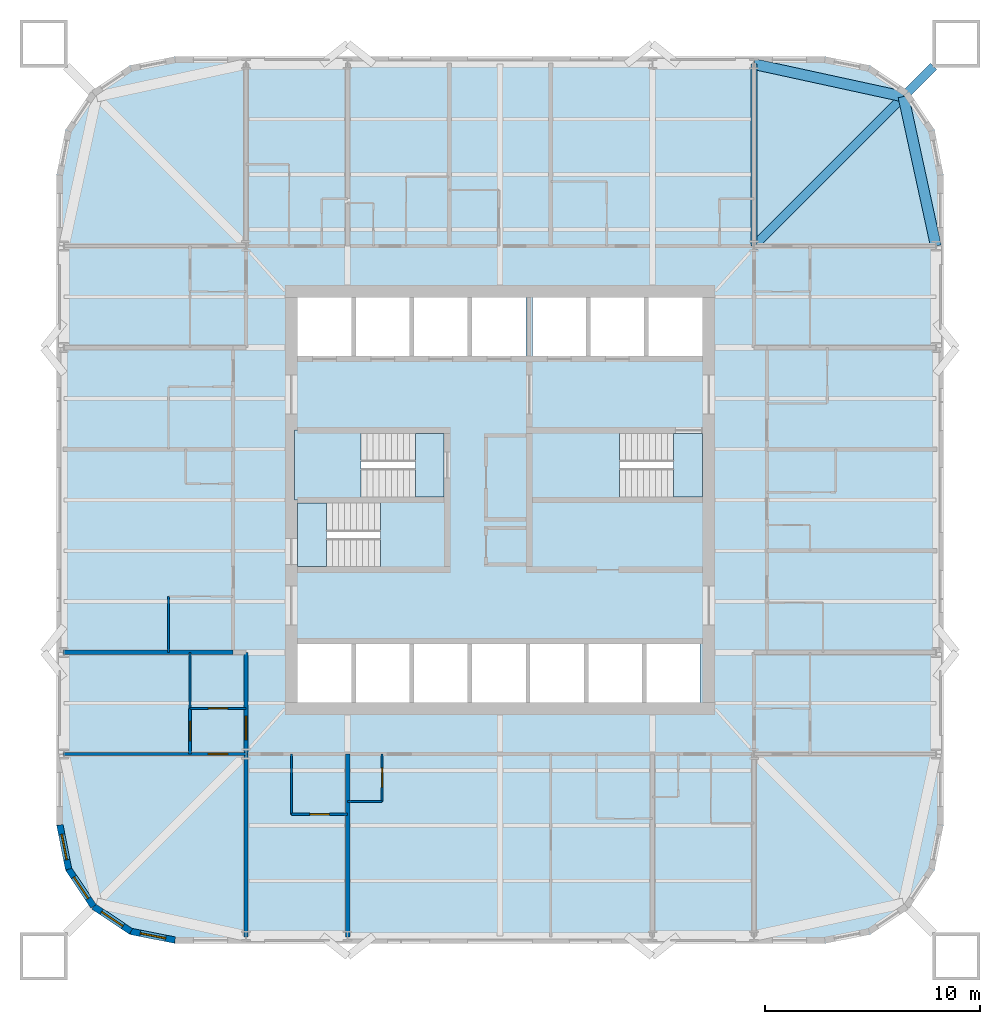
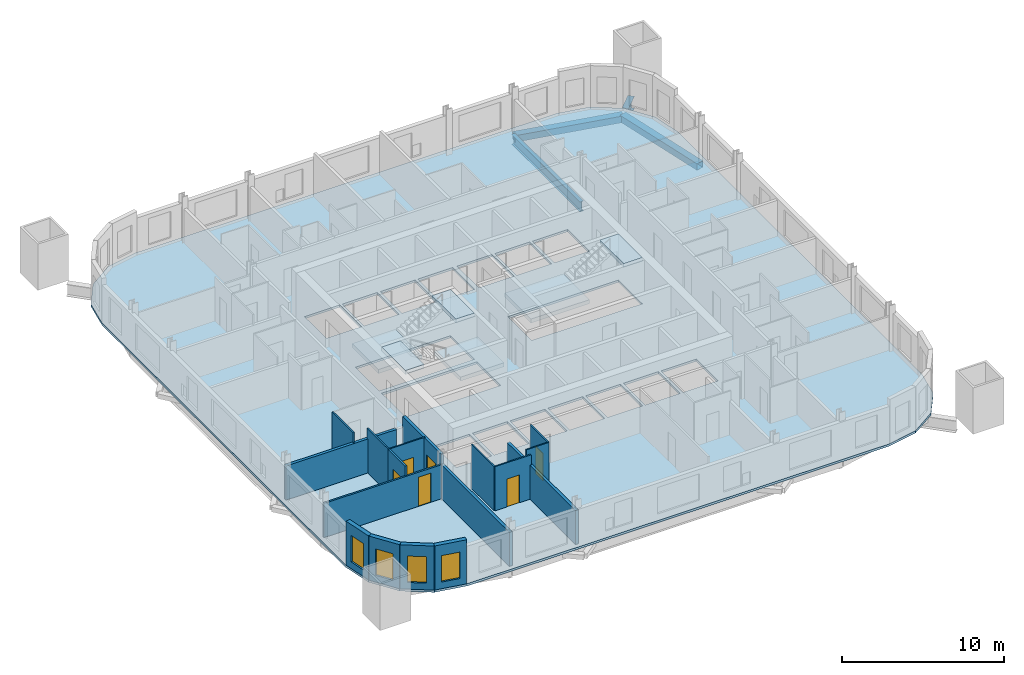
# One storey, part 2 of 9: 17 walls, 7 slabs, 6 doors, 4 beams, 4 windows, 10 openings, 3 elements without a shape of their own.
"""IFC4 building model written with IfcOpenShell, lengths in metres."""

from ifc_helpers import new_model, si_unit, direction, frame, frame_2d, origin, origin_2d, place, context, subcontext, project, spatial, polyline, rectangle, hollow_rectangle, i_section, outline, extrude, material, layer, layer_set, material_profile, profile_set, type_object, element, fill, aggregate, save


model = new_model("IFC4")

# Units and contexts
model_context = context("Model", 3, precision=1e-05, world=origin(), true_north=direction((0.0, 1.0)))
body_context = subcontext(model_context, "Body", "Model", "MODEL_VIEW")
ifc_project = project(units=[si_unit("LENGTHUNIT", "METRE"), si_unit("AREAUNIT", "SQUARE_METRE"), si_unit("VOLUMEUNIT", "CUBIC_METRE"), si_unit("PLANEANGLEUNIT", "RADIAN"), si_unit("MASSUNIT", "GRAM", prefix="KILO")], contexts=[model_context])

# Site, building, storey
site_placement = place(None, origin())
site = spatial("IfcSite", under=ifc_project, at=site_placement, CompositionType="ELEMENT")
building_placement = place(site_placement, origin())
building = spatial("IfcBuilding", under=site, at=building_placement, Name="Turquesa Mirador Hotel Tower", CompositionType="ELEMENT")
storey_placement = place(building_placement, frame((0.0, 0.0, 114.39990234375)))
storey = spatial("IfcBuildingStorey", under=building, at=storey_placement, Name="L30", CompositionType="ELEMENT", Elevation=114.39990234375)

# Beams
ifc_material_1 = material(Name="Steel ASTM A572 Grade 50", Category="steel")
ifc_material_profile_1 = material_profile(ifc_material_1, hollow_rectangle(XDim=0.5, YDim=0.5, WallThickness=0.01611328125, at=origin_2d()), Name="BOX500X500X16")
ifc_profile_set_1 = profile_set([ifc_material_profile_1], Name="Steel ASTM A572 Grade 50")
beam_type_1 = type_object("IfcBeamType", Name="BEAM BOX500X500X16", PredefinedType="BEAM", material=ifc_profile_set_1)
for number, where, z_axis, x_axis, name in (
    (1, (75.25, 56.800048828125, -0.419921875), (-0.212328336885, 0.977198381781, 0.0), (-0.977198381781, -0.212328336885, 0.0), "KE-L30-1-0"),
    (2, (73.74169921875, 63.74169921875, -0.419921875), (-0.977198381781, 0.212328336885, 0.0), (-0.212328336885, -0.977198381781, 0.0), "KE-L30-1-1"),
):
    element("IfcBeam", number, at=place(storey_placement, frame(where, z_axis=z_axis, x_axis=x_axis)), inside=storey, type_object=beam_type_1, Name=name, PredefinedType="BEAM", context=body_context, shape_type="SweptSolid", body=[
        extrude(hollow_rectangle(XDim=0.5, YDim=0.5, WallThickness=0.01611328125, at=origin_2d()), origin(), (0.0, 0.0, 1.0), 7.103515625),
    ])
ifc_material_2 = material(Name="Steel ASTM A992 Grade 50", Category="steel")
ifc_material_profile_2 = material_profile(ifc_material_2, i_section(OverallWidth=0.2666015625, OverallDepth=0.7568359375, WebThickness=0.013916015625, FlangeThickness=0.019287109375, at=origin_2d()), Name="W30X108")
ifc_profile_set_2 = profile_set([ifc_material_profile_2], Name="Steel ASTM A992 Grade 50")
beam_type_2 = type_object("IfcBeamType", Name="BEAM W30X108", PredefinedType="BEAM", material=ifc_profile_set_2)
beam_1_placement = place(storey_placement, frame((66.800048828125, 65.25, -0.54833984375), z_axis=(0.0, -1.0, 0.0), x_axis=(1.0, 0.0, 0.0)))
element("IfcBeam", 3, at=beam_1_placement, inside=storey, type_object=beam_type_2, Name="GK-L30-N-+11.80", PredefinedType="BEAM", context=body_context, shape_type="SweptSolid", body=[
    extrude(i_section(OverallWidth=0.2666015625, OverallDepth=0.7568359375, WebThickness=0.013916015625, FlangeThickness=0.019287109375, at=origin_2d()), origin(), (0.0, 0.0, 1.0), 8.449951171875),
])
ifc_material_3 = material(Name="Steel ASTM A992 Grade 50", Category="steel")
ifc_material_profile_3 = material_profile(ifc_material_3, i_section(OverallWidth=0.419189453125, OverallDepth=0.927001953125, WebThickness=0.019287109375, FlangeThickness=0.031982421875, at=origin_2d()), Name="W36X231")
ifc_profile_set_3 = profile_set([ifc_material_profile_3], Name="Steel ASTM A992 Grade 50")
beam_type_3 = type_object("IfcBeamType", Name="BEAM W36X231", PredefinedType="BEAM", material=ifc_profile_set_3)
beam_2_placement = place(storey_placement, frame((66.800048828125, 56.800048828125, -0.633544921875), z_axis=(0.707106781187, 0.707106781187, 0.0), x_axis=(-0.707106781187, 0.707106781187, 0.0)))
element("IfcBeam", 4, at=beam_2_placement, inside=storey, type_object=beam_type_3, Name="KD-L30-1", PredefinedType="BEAM", context=body_context, shape_type="SweptSolid", body=[
    extrude(i_section(OverallWidth=0.419189453125, OverallDepth=0.927001953125, WebThickness=0.019287109375, FlangeThickness=0.031982421875, at=origin_2d()), origin(), (0.0, 0.0, 1.0), 11.80859375),
])

# Slab
ifc_material_4 = material(Name="Concrete C28/35", Category="concrete")
ifc_layer_1 = layer(ifc_material_4, 0.169921875)
ifc_layer_set_1 = layer_set([ifc_layer_1], Name="COMPOSITE FLOOR SLAB 170")
slab_type_1 = type_object("IfcSlabType", Name="COMPOSITE FLOOR SLAB 170", PredefinedType="FLOOR", material=ifc_layer_set_1)
slab_1_placement = place(storey_placement, frame((0.0, 0.0, -0.169921875)))
element("IfcSlab", 5, at=slab_1_placement, inside=storey, type_object=slab_type_1, Name="Floor slab L30", PredefinedType="FLOOR", context=body_context, shape_type="SweptSolid", body=[
    extrude(outline(polyline([(70.10009765625, 24.39990234375), (72.204833984375, 24.818603515625), (73.989013671875, 26.010986328125), (75.181396484375, 27.795166015625), (75.60009765625, 29.89990234375), (75.60009765625, 60.10009765625), (75.181396484375, 62.204833984375), (73.989013671875, 63.989013671875), (72.204833984375, 65.181396484375), (70.10009765625, 65.60009765625), (39.89990234375, 65.60009765625), (37.795166015625, 65.181396484375), (36.010986328125, 63.989013671875), (34.818603515625, 62.204833984375), (34.39990234375, 60.10009765625), (34.39990234375, 29.89990234375), (34.818603515625, 27.795166015625), (36.010986328125, 26.010986328125), (37.795166015625, 24.818603515625), (39.89990234375, 24.39990234375), (70.10009765625, 24.39990234375)]), holes=[polyline([(45.60009765625, 51.699951171875), (48.10009765625, 51.699951171875), (48.10009765625, 54.39990234375), (45.60009765625, 54.39990234375), (45.60009765625, 51.699951171875)]), polyline([(48.300048828125, 51.699951171875), (50.800048828125, 51.699951171875), (50.800048828125, 54.39990234375), (48.300048828125, 54.39990234375), (48.300048828125, 51.699951171875)]), polyline([(51.0, 51.699951171875), (53.5, 51.699951171875), (53.5, 54.39990234375), (51.0, 54.39990234375), (51.0, 51.699951171875)]), polyline([(53.699951171875, 51.699951171875), (56.199951171875, 51.699951171875), (56.199951171875, 54.39990234375), (53.699951171875, 54.39990234375), (53.699951171875, 51.699951171875)]), polyline([(56.5, 51.699951171875), (59.0, 51.699951171875), (59.0, 54.39990234375), (56.5, 54.39990234375), (56.5, 51.699951171875)]), polyline([(59.199951171875, 51.699951171875), (61.699951171875, 51.699951171875), (61.699951171875, 54.39990234375), (59.199951171875, 54.39990234375), (59.199951171875, 51.699951171875)]), polyline([(45.60009765625, 35.60009765625), (48.10009765625, 35.60009765625), (48.10009765625, 38.300048828125), (45.60009765625, 38.300048828125), (45.60009765625, 35.60009765625)]), polyline([(48.300048828125, 35.60009765625), (50.800048828125, 35.60009765625), (50.800048828125, 38.300048828125), (48.300048828125, 38.300048828125), (48.300048828125, 35.60009765625)]), polyline([(51.0, 35.60009765625), (53.5, 35.60009765625), (53.5, 38.300048828125), (51.0, 38.300048828125), (51.0, 35.60009765625)]), polyline([(53.699951171875, 35.60009765625), (56.199951171875, 35.60009765625), (56.199951171875, 38.300048828125), (53.699951171875, 38.300048828125), (53.699951171875, 35.60009765625)]), polyline([(56.39990234375, 35.60009765625), (58.89990234375, 35.60009765625), (58.89990234375, 38.300048828125), (56.39990234375, 38.300048828125), (56.39990234375, 35.60009765625)]), polyline([(59.10009765625, 35.60009765625), (61.60009765625, 35.60009765625), (61.60009765625, 38.300048828125), (59.10009765625, 38.300048828125), (59.10009765625, 35.60009765625)]), polyline([(61.800048828125, 35.60009765625), (64.300048828125, 35.60009765625), (64.300048828125, 38.300048828125), (61.800048828125, 38.300048828125), (61.800048828125, 35.60009765625)]), polyline([(45.60009765625, 45.14990234375), (52.39990234375, 45.14990234375), (52.39990234375, 48.10009765625), (45.60009765625, 48.10009765625), (45.60009765625, 45.14990234375)]), polyline([(45.60009765625, 41.89990234375), (52.39990234375, 41.89990234375), (52.39990234375, 44.85009765625), (45.60009765625, 44.85009765625), (45.60009765625, 41.89990234375)]), polyline([(56.5, 45.14990234375), (64.39990234375, 45.14990234375), (64.39990234375, 48.10009765625), (56.5, 48.10009765625), (56.5, 45.14990234375)]), polyline([(61.89990234375, 51.699951171875), (64.39990234375, 51.699951171875), (64.39990234375, 54.39990234375), (61.89990234375, 54.39990234375), (61.89990234375, 51.699951171875)])]), origin(), (0.0, 0.0, 1.0), 0.169921875),
])

# Stair, slabs
ifc_material_5 = material(Name="Concrete C35/45", Category="concrete")
stair_type = type_object("IfcStairType", Name="ESCAPE STAIR CORE", PredefinedType="HALF_TURN_STAIR", material=ifc_material_5)
stair_1_placement = place(storey_placement, origin())
stair_1 = element("IfcStair", 6, at=stair_1_placement, inside=storey, type_object=stair_type, Name="Stair ST1 L30 to L31", PredefinedType="HALF_TURN_STAIR")
ifc_material_6 = material(Name="Concrete C35/45", Category="concrete")
ifc_layer_2 = layer(ifc_material_6, 0.300048828125)
ifc_layer_set_2 = layer_set([ifc_layer_2], Name="STAIR LANDING 300")
slab_type_2 = type_object("IfcSlabType", Name="STAIR LANDING 300", PredefinedType="LANDING", material=ifc_layer_set_2)
slab_2_placement = place(storey_placement, frame((0.0, 0.0, 1.4501953125)))
slab_2 = element("IfcSlab", 7, at=slab_2_placement, type_object=slab_type_2, Name="ST1 landing 1", PredefinedType="LANDING", context=body_context, shape_type="SweptSolid", body=[
    extrude(outline(polyline([(45.449951171875, 45.0), (48.550048828125, 45.0), (48.550048828125, 48.25), (45.449951171875, 48.25), (45.449951171875, 45.0)])), origin(), (0.0, 0.0, 1.0), 0.2998046875),
])
slab_3_placement = place(storey_placement, frame((0.0, 0.0, 3.2001953125)))
slab_3 = element("IfcSlab", 8, at=slab_3_placement, type_object=slab_type_2, Name="ST1 landing 2", PredefinedType="LANDING", context=body_context, shape_type="SweptSolid", body=[
    extrude(outline(polyline([(51.070068359375, 45.14990234375), (52.39990234375, 45.14990234375), (52.39990234375, 48.10009765625), (51.070068359375, 48.10009765625), (51.070068359375, 45.14990234375)])), origin(), (0.0, 0.0, 1.0), 0.2998046875),
])
aggregate(stair_1, [slab_2, slab_3])

stair_2_placement = place(storey_placement, origin())
stair_2 = element("IfcStair", 9, at=stair_2_placement, inside=storey, type_object=stair_type, Name="Stair ST2 L30 to L31", PredefinedType="HALF_TURN_STAIR")
slab_4_placement = place(storey_placement, frame((0.0, 0.0, 1.4501953125)))
slab_4 = element("IfcSlab", 10, at=slab_4_placement, type_object=slab_type_2, Name="ST2 landing 1", PredefinedType="LANDING", context=body_context, shape_type="SweptSolid", body=[
    extrude(outline(polyline([(52.550048828125, 45.0), (49.449951171875, 45.0), (49.449951171875, 41.75), (52.550048828125, 41.75), (52.550048828125, 45.0)])), origin(), (0.0, 0.0, 1.0), 0.2998046875),
])
slab_5_placement = place(storey_placement, frame((0.0, 0.0, 3.2001953125)))
slab_5 = element("IfcSlab", 11, at=slab_5_placement, type_object=slab_type_2, Name="ST2 landing 2", PredefinedType="LANDING", context=body_context, shape_type="SweptSolid", body=[
    extrude(outline(polyline([(46.929931640625, 44.85009765625), (45.60009765625, 44.85009765625), (45.60009765625, 41.89990234375), (46.929931640625, 41.89990234375), (46.929931640625, 44.85009765625)])), origin(), (0.0, 0.0, 1.0), 0.2998046875),
])
aggregate(stair_2, [slab_4, slab_5])

stair_3_placement = place(storey_placement, origin())
stair_3 = element("IfcStair", 12, at=stair_3_placement, inside=storey, type_object=stair_type, Name="Stair ST3 L30 to L31", PredefinedType="HALF_TURN_STAIR")
slab_6_placement = place(storey_placement, frame((0.0, 0.0, 1.4501953125)))
slab_6 = element("IfcSlab", 13, at=slab_6_placement, type_object=slab_type_2, Name="ST3 landing 1", PredefinedType="LANDING", context=body_context, shape_type="SweptSolid", body=[
    extrude(outline(polyline([(56.35009765625, 45.0), (60.550048828125, 45.0), (60.550048828125, 48.25), (56.35009765625, 48.25), (56.35009765625, 45.0)])), origin(), (0.0, 0.0, 1.0), 0.2998046875),
])
slab_7_placement = place(storey_placement, frame((0.0, 0.0, 3.2001953125)))
slab_7 = element("IfcSlab", 14, at=slab_7_placement, type_object=slab_type_2, Name="ST3 landing 2", PredefinedType="LANDING", context=body_context, shape_type="SweptSolid", body=[
    extrude(outline(polyline([(63.070068359375, 45.14990234375), (64.39990234375, 45.14990234375), (64.39990234375, 48.10009765625), (63.070068359375, 48.10009765625), (63.070068359375, 45.14990234375)])), origin(), (0.0, 0.0, 1.0), 0.2998046875),
])
aggregate(stair_3, [slab_6, slab_7])

# Wall
ifc_material_7 = material(Name="Gypsum board on steel studs", Category="steel")
ifc_layer_3 = layer(ifc_material_7, 0.10009765625)
ifc_layer_set_3 = layer_set([ifc_layer_3], Name="BATHROOM WALL 100")
wall_type_1 = type_object("IfcWallType", Name="BATHROOM WALL 100", PredefinedType="PARTITIONING", material=ifc_layer_set_3)
wall_1_placement = place(storey_placement, frame((47.919921875, 31.0, 0.0), z_axis=(0.0, 0.0, 1.0), x_axis=(1.0, 0.0, 0.0)))
element("IfcWall", 15, at=wall_1_placement, inside=storey, type_object=wall_type_1, Name="Partition L30 006", PredefinedType="PARTITIONING", context=body_context, shape_type="SweptSolid", body=[
    extrude(rectangle(XDim=1.60009765625, YDim=0.10009765625, at=frame_2d((0.800048828125, 0.0))), origin(), (0.0, 0.0, 1.0), 3.330078125),
])

# Wall, opening, door
wall_2_placement = place(storey_placement, frame((45.320068359375, 30.39990234375, 0.0), z_axis=(0.0, 0.0, 1.0), x_axis=(1.0, 0.0, 0.0)))
wall_2 = element("IfcWall", 16, at=wall_2_placement, inside=storey, type_object=wall_type_1, Name="Partition L30 007", PredefinedType="PARTITIONING", context=body_context, shape_type="SweptSolid", body=[
    extrude(rectangle(XDim=2.599853515625, YDim=0.10009765625, at=frame_2d((1.2998046875, 0.0))), origin(), (0.0, 0.0, 1.0), 3.330078125),
])
opening_1_placement = place(wall_2_placement, frame((0.85009765625, 0.0, 0.0)))
opening_1 = element("IfcOpeningElement", 17, at=opening_1_placement, cuts=wall_2, Name="Opening D02", PredefinedType="OPENING", context=body_context, shape_type="SweptSolid", body=[
    extrude(rectangle(XDim=0.89990234375, YDim=2.10009765625, at=frame_2d((0.449951171875, 1.050048828125))), frame((0.0, 0.06005859375, 0.0), z_axis=(0.0, -1.0, 0.0), x_axis=(1.0, 0.0, 0.0)), (0.0, 0.0, 1.0), 0.1201171875),
])
ifc_material_8 = material(Name="Timber veneered door", Category="wood")
door_type_1 = type_object("IfcDoorType", Name="DOOR 900X2100 EN-SUITE", OperationType="SINGLE_SWING_RIGHT", PredefinedType="DOOR", material=ifc_material_8)
door_1_placement = place(opening_1_placement, origin())
door_1 = element("IfcDoor", 18, at=door_1_placement, inside=storey, type_object=door_type_1, Name="Door 3005B", OperationType="SINGLE_SWING_RIGHT", OverallHeight=2.10009765625, OverallWidth=0.89990234375, PredefinedType="DOOR", context=body_context, shape_type="SweptSolid", body=[
    extrude(rectangle(XDim=0.89990234375, YDim=2.10009765625, at=frame_2d((0.449951171875, 1.050048828125))), frame((0.0, 0.02490234375, 0.0), z_axis=(0.0, -1.0, 0.0), x_axis=(1.0, 0.0, 0.0)), (0.0, 0.0, 1.0), 0.050048828125),
])
fill(opening_1, door_1)

wall_3_placement = place(storey_placement, frame((40.60009765625, 35.320068359375, 0.0), z_axis=(0.0, 0.0, 1.0), x_axis=(1.0, 0.0, 0.0)))
wall_3 = element("IfcWall", 19, at=wall_3_placement, inside=storey, type_object=wall_type_1, Name="Partition L30 017", PredefinedType="PARTITIONING", context=body_context, shape_type="SweptSolid", body=[
    extrude(rectangle(XDim=2.599853515625, YDim=0.10009765625, at=frame_2d((1.2998046875, 0.0))), origin(), (0.0, 0.0, 1.0), 3.330078125),
])
opening_2_placement = place(wall_3_placement, frame((0.85009765625, 0.0, 0.0)))
opening_2 = element("IfcOpeningElement", 20, at=opening_2_placement, cuts=wall_3, Name="Opening D02", PredefinedType="OPENING", context=body_context, shape_type="SweptSolid", body=[
    extrude(rectangle(XDim=0.89990234375, YDim=2.10009765625, at=frame_2d((0.449951171875, 1.050048828125))), frame((0.0, 0.06005859375, 0.0), z_axis=(0.0, -1.0, 0.0), x_axis=(1.0, 0.0, 0.0)), (0.0, 0.0, 1.0), 0.1201171875),
])
door_2_placement = place(opening_2_placement, origin())
door_2 = element("IfcDoor", 21, at=door_2_placement, inside=storey, type_object=door_type_1, Name="Door 3015B", OperationType="SINGLE_SWING_RIGHT", OverallHeight=2.10009765625, OverallWidth=0.89990234375, PredefinedType="DOOR", context=body_context, shape_type="SweptSolid", body=[
    extrude(rectangle(XDim=0.89990234375, YDim=2.10009765625, at=frame_2d((0.449951171875, 1.050048828125))), frame((0.0, 0.02490234375, 0.0), z_axis=(0.0, -1.0, 0.0), x_axis=(1.0, 0.0, 0.0)), (0.0, 0.0, 1.0), 0.050048828125),
])
fill(opening_2, door_2)

# Walls
wall_4_placement = place(storey_placement, frame((40.60009765625, 35.320068359375, 0.0), z_axis=(0.0, 0.0, 1.0), x_axis=(0.0, 1.0, 0.0)))
element("IfcWall", 22, at=wall_4_placement, inside=storey, type_object=wall_type_1, Name="Partition L30 047", PredefinedType="PARTITIONING", context=body_context, shape_type="SweptSolid", body=[
    extrude(rectangle(XDim=2.599853515625, YDim=0.10009765625, at=frame_2d((1.2998046875, 0.0))), origin(), (0.0, 0.0, 1.0), 3.330078125),
])
wall_5_placement = place(storey_placement, frame((39.60009765625, 37.919921875, 0.0), z_axis=(0.0, 0.0, 1.0), x_axis=(0.0, 1.0, 0.0)))
element("IfcWall", 23, at=wall_5_placement, inside=storey, type_object=wall_type_1, Name="Partition L30 052", PredefinedType="PARTITIONING", context=body_context, shape_type="SweptSolid", body=[
    extrude(rectangle(XDim=2.60009765625, YDim=0.10009765625, at=frame_2d((1.300048828125, 0.0))), origin(), (0.0, 0.0, 1.0), 3.330078125),
])

# Wall, opening, door
wall_6_placement = place(storey_placement, frame((49.52001953125, 31.0, 0.0), z_axis=(0.0, 0.0, 1.0), x_axis=(0.0, 1.0, 0.0)))
wall_6 = element("IfcWall", 24, at=wall_6_placement, inside=storey, type_object=wall_type_1, Name="Partition L30 056", PredefinedType="PARTITIONING", context=body_context, shape_type="SweptSolid", body=[
    extrude(rectangle(XDim=2.199951171875, YDim=0.10009765625, at=frame_2d((1.10009765625, 0.0))), origin(), (0.0, 0.0, 1.0), 3.330078125),
])
opening_3_placement = place(wall_6_placement, frame((0.64990234375, 0.0, 0.0)))
opening_3 = element("IfcOpeningElement", 25, at=opening_3_placement, cuts=wall_6, Name="Opening D06", PredefinedType="OPENING", context=body_context, shape_type="SweptSolid", body=[
    extrude(rectangle(XDim=0.89990234375, YDim=2.10009765625, at=frame_2d((0.449951171875, 1.050048828125))), frame((0.0, 0.06005859375, 0.0), z_axis=(0.0, -1.0, 0.0), x_axis=(1.0, 0.0, 0.0)), (0.0, 0.0, 1.0), 0.1201171875),
])
ifc_material_9 = material(Name="Laminate door", Category="wood")
door_type_2 = type_object("IfcDoorType", Name="DOOR 900X2100 WC", OperationType="SINGLE_SWING_LEFT", PredefinedType="DOOR", material=ifc_material_9)
door_3_placement = place(opening_3_placement, origin())
door_3 = element("IfcDoor", 26, at=door_3_placement, inside=storey, type_object=door_type_2, Name="Door 3006W", OperationType="SINGLE_SWING_LEFT", OverallHeight=2.10009765625, OverallWidth=0.89990234375, PredefinedType="DOOR", context=body_context, shape_type="SweptSolid", body=[
    extrude(rectangle(XDim=0.89990234375, YDim=2.10009765625, at=frame_2d((0.449951171875, 1.050048828125))), frame((0.0, 0.02490234375, 0.0), z_axis=(0.0, -1.0, 0.0), x_axis=(1.0, 0.0, 0.0)), (0.0, 0.0, 1.0), 0.050048828125),
])
fill(opening_3, door_3)

# Wall
wall_7_placement = place(storey_placement, frame((45.320068359375, 30.39990234375, 0.0), z_axis=(0.0, 0.0, 1.0), x_axis=(0.0, 1.0, 0.0)))
element("IfcWall", 27, at=wall_7_placement, inside=storey, type_object=wall_type_1, Name="Partition L30 062", PredefinedType="PARTITIONING", context=body_context, shape_type="SweptSolid", body=[
    extrude(rectangle(XDim=2.800048828125, YDim=0.10009765625, at=frame_2d((1.39990234375, 0.0))), origin(), (0.0, 0.0, 1.0), 3.330078125),
])

# Wall, opening, door
ifc_material_10 = material(Name="Fire-rated gypsum board on steel studs", Category="steel")
ifc_layer_4 = layer(ifc_material_10, 0.199951171875)
ifc_layer_set_4 = layer_set([ifc_layer_4], Name="CORRIDOR WALL 200")
wall_type_2 = type_object("IfcWallType", Name="CORRIDOR WALL 200", PredefinedType="PARTITIONING", material=ifc_layer_set_4)
wall_8_placement = place(storey_placement, frame((43.199951171875, 33.199951171875, 0.0), z_axis=(0.0, 0.0, 1.0), x_axis=(0.0, 1.0, 0.0)))
wall_8 = element("IfcWall", 28, at=wall_8_placement, inside=storey, type_object=wall_type_2, Name="Partition L30 042", PredefinedType="PARTITIONING", context=body_context, shape_type="SweptSolid", body=[
    extrude(rectangle(XDim=4.719970703125, YDim=0.199951171875, at=frame_2d((2.35986328125, 0.0))), origin(), (0.0, 0.0, 1.0), 3.330078125),
])
opening_4_placement = place(wall_8_placement, frame((0.659912109375, 0.0, 0.0)))
opening_4 = element("IfcOpeningElement", 29, at=opening_4_placement, cuts=wall_8, Name="Opening D15", PredefinedType="OPENING", context=body_context, shape_type="SweptSolid", body=[
    extrude(rectangle(XDim=1.10009765625, YDim=2.199951171875, at=frame_2d((0.550048828125, 1.10009765625))), frame((0.0, 0.10986328125, 0.0), z_axis=(0.0, -1.0, 0.0), x_axis=(1.0, 0.0, 0.0)), (0.0, 0.0, 1.0), 0.219970703125),
])
ifc_material_11 = material(Name="Timber veneered fire door", Category="wood")
door_type_3 = type_object("IfcDoorType", Name="DOOR 1100X2200 SUITE ENTRY", OperationType="SINGLE_SWING_LEFT", PredefinedType="DOOR", material=ifc_material_11)
door_4_placement = place(opening_4_placement, origin())
door_4 = element("IfcDoor", 30, at=door_4_placement, inside=storey, type_object=door_type_3, Name="Door 3015H", OperationType="SINGLE_SWING_LEFT", OverallHeight=2.199951171875, OverallWidth=1.10009765625, PredefinedType="DOOR", context=body_context, shape_type="SweptSolid", body=[
    extrude(rectangle(XDim=1.10009765625, YDim=2.199951171875, at=frame_2d((0.550048828125, 1.10009765625))), frame((0.0, 0.02490234375, 0.0), z_axis=(0.0, -1.0, 0.0), x_axis=(1.0, 0.0, 0.0)), (0.0, 0.0, 1.0), 0.050048828125),
])
fill(opening_4, door_4)

# Wall, opening, window
ifc_material_12 = material(Name="Limestone cladding on concrete block", Category="masonry")
ifc_layer_5 = layer(ifc_material_12, 0.300048828125)
ifc_layer_set_5 = layer_set([ifc_layer_5], Name="FACADE WALL 300 STONE SCREEN")
wall_type_3 = type_object("IfcWallType", Name="FACADE WALL 300 STONE SCREEN", PredefinedType="SOLIDWALL", material=ifc_layer_set_5)
wall_9_placement = place(storey_placement, frame((34.550048828125, 29.89990234375, 0.0), z_axis=(0.0, 0.0, 1.0), x_axis=(0.195081421501, -0.980787050784, 0.0)))
wall_9 = element("IfcWall", 31, at=wall_9_placement, inside=storey, type_object=wall_type_3, Name="Facade wall L30 15", PredefinedType="SOLIDWALL", context=body_context, shape_type="SweptSolid", body=[
    extrude(rectangle(XDim=2.08740234375, YDim=0.300048828125, at=frame_2d((1.043701171875, 0.0))), origin(), (0.0, 0.0, 1.0), 3.330078125),
])
opening_5_placement = place(wall_9_placement, frame((0.443603515625, 0.0, 0.5)))
opening_5 = element("IfcOpeningElement", 32, at=opening_5_placement, cuts=wall_9, Name="Opening WN4", PredefinedType="OPENING", context=body_context, shape_type="SweptSolid", body=[
    extrude(rectangle(XDim=1.199951171875, YDim=2.0, at=frame_2d((0.60009765625, 1.0))), frame((0.0, 0.159912109375, 0.0), z_axis=(0.0, -1.0, 0.0), x_axis=(1.0, 0.0, 0.0)), (0.0, 0.0, 1.0), 0.320068359375),
])
ifc_material_13 = material(Name="Ceramic-fritted laminated glass", Category="glass")
window_type = type_object("IfcWindowType", Name="FRITTED CORNER WINDOW 1200X2000", PartitioningType="DOUBLE_PANEL_HORIZONTAL", PredefinedType="WINDOW", material=ifc_material_13)
window_1_placement = place(opening_5_placement, origin())
window_1 = element("IfcWindow", 33, at=window_1_placement, inside=storey, type_object=window_type, Name="Window L30", OverallHeight=2.0, OverallWidth=1.199951171875, PartitioningType="SINGLE_PANEL", PredefinedType="WINDOW", context=body_context, shape_type="SweptSolid", body=[
    extrude(rectangle(XDim=1.199951171875, YDim=2.0, at=frame_2d((0.60009765625, 1.0))), frame((0.0, 0.030029296875, 0.0), z_axis=(0.0, -1.0, 0.0), x_axis=(1.0, 0.0, 0.0)), (0.0, 0.0, 1.0), 0.06005859375),
])
fill(opening_5, window_1)

wall_10_placement = place(storey_placement, frame((34.957275390625, 27.8525390625, 0.0), z_axis=(0.0, 0.0, 1.0), x_axis=(0.555563607591, -0.831474039234, 0.0)))
wall_10 = element("IfcWall", 34, at=wall_10_placement, inside=storey, type_object=wall_type_3, Name="Facade wall L30 16", PredefinedType="SOLIDWALL", context=body_context, shape_type="SweptSolid", body=[
    extrude(rectangle(XDim=2.08740234375, YDim=0.300048828125, at=frame_2d((1.043701171875, 0.0))), origin(), (0.0, 0.0, 1.0), 3.330078125),
])
opening_6_placement = place(wall_10_placement, frame((0.443603515625, 0.0, 0.5)))
opening_6 = element("IfcOpeningElement", 35, at=opening_6_placement, cuts=wall_10, Name="Opening WN4", PredefinedType="OPENING", context=body_context, shape_type="SweptSolid", body=[
    extrude(rectangle(XDim=1.199951171875, YDim=2.0, at=frame_2d((0.60009765625, 1.0))), frame((0.0, 0.159912109375, 0.0), z_axis=(0.0, -1.0, 0.0), x_axis=(1.0, 0.0, 0.0)), (0.0, 0.0, 1.0), 0.320068359375),
])
window_2_placement = place(opening_6_placement, origin())
window_2 = element("IfcWindow", 36, at=window_2_placement, inside=storey, type_object=window_type, Name="Window L30", OverallHeight=2.0, OverallWidth=1.199951171875, PartitioningType="SINGLE_PANEL", PredefinedType="WINDOW", context=body_context, shape_type="SweptSolid", body=[
    extrude(rectangle(XDim=1.199951171875, YDim=2.0, at=frame_2d((0.60009765625, 1.0))), frame((0.0, 0.030029296875, 0.0), z_axis=(0.0, -1.0, 0.0), x_axis=(1.0, 0.0, 0.0)), (0.0, 0.0, 1.0), 0.06005859375),
])
fill(opening_6, window_2)

wall_11_placement = place(storey_placement, frame((36.116943359375, 26.116943359375, 0.0), z_axis=(0.0, 0.0, 1.0), x_axis=(0.831474039234, -0.555563607591, 0.0)))
wall_11 = element("IfcWall", 37, at=wall_11_placement, inside=storey, type_object=wall_type_3, Name="Facade wall L30 17", PredefinedType="SOLIDWALL", context=body_context, shape_type="SweptSolid", body=[
    extrude(rectangle(XDim=2.08740234375, YDim=0.300048828125, at=frame_2d((1.043701171875, 0.0))), origin(), (0.0, 0.0, 1.0), 3.330078125),
])
opening_7_placement = place(wall_11_placement, frame((0.443603515625, 0.0, 0.5)))
opening_7 = element("IfcOpeningElement", 38, at=opening_7_placement, cuts=wall_11, Name="Opening WN4", PredefinedType="OPENING", context=body_context, shape_type="SweptSolid", body=[
    extrude(rectangle(XDim=1.199951171875, YDim=2.0, at=frame_2d((0.60009765625, 1.0))), frame((0.0, 0.159912109375, 0.0), z_axis=(0.0, -1.0, 0.0), x_axis=(1.0, 0.0, 0.0)), (0.0, 0.0, 1.0), 0.320068359375),
])
window_3_placement = place(opening_7_placement, origin())
window_3 = element("IfcWindow", 39, at=window_3_placement, inside=storey, type_object=window_type, Name="Window L30", OverallHeight=2.0, OverallWidth=1.199951171875, PartitioningType="SINGLE_PANEL", PredefinedType="WINDOW", context=body_context, shape_type="SweptSolid", body=[
    extrude(rectangle(XDim=1.199951171875, YDim=2.0, at=frame_2d((0.60009765625, 1.0))), frame((0.0, 0.030029296875, 0.0), z_axis=(0.0, -1.0, 0.0), x_axis=(1.0, 0.0, 0.0)), (0.0, 0.0, 1.0), 0.06005859375),
])
fill(opening_7, window_3)

wall_12_placement = place(storey_placement, frame((37.8525390625, 24.957275390625, 0.0), z_axis=(0.0, 0.0, 1.0), x_axis=(0.980787050784, -0.195081421501, 0.0)))
wall_12 = element("IfcWall", 40, at=wall_12_placement, inside=storey, type_object=wall_type_3, Name="Facade wall L30 18", PredefinedType="SOLIDWALL", context=body_context, shape_type="SweptSolid", body=[
    extrude(rectangle(XDim=2.08740234375, YDim=0.300048828125, at=frame_2d((1.043701171875, 0.0))), origin(), (0.0, 0.0, 1.0), 3.330078125),
])
opening_8_placement = place(wall_12_placement, frame((0.443603515625, 0.0, 0.5)))
opening_8 = element("IfcOpeningElement", 41, at=opening_8_placement, cuts=wall_12, Name="Opening WN4", PredefinedType="OPENING", context=body_context, shape_type="SweptSolid", body=[
    extrude(rectangle(XDim=1.199951171875, YDim=2.0, at=frame_2d((0.60009765625, 1.0))), frame((0.0, 0.159912109375, 0.0), z_axis=(0.0, -1.0, 0.0), x_axis=(1.0, 0.0, 0.0)), (0.0, 0.0, 1.0), 0.320068359375),
])
window_4_placement = place(opening_8_placement, origin())
window_4 = element("IfcWindow", 42, at=window_4_placement, inside=storey, type_object=window_type, Name="Window L30", OverallHeight=2.0, OverallWidth=1.199951171875, PartitioningType="SINGLE_PANEL", PredefinedType="WINDOW", context=body_context, shape_type="SweptSolid", body=[
    extrude(rectangle(XDim=1.199951171875, YDim=2.0, at=frame_2d((0.60009765625, 1.0))), frame((0.0, 0.030029296875, 0.0), z_axis=(0.0, -1.0, 0.0), x_axis=(1.0, 0.0, 0.0)), (0.0, 0.0, 1.0), 0.06005859375),
])
fill(opening_8, window_4)

# Walls
ifc_material_14 = material(Name="Fire-rated gypsum board on steel studs", Category="steel")
ifc_layer_6 = layer(ifc_material_14, 0.199951171875)
ifc_layer_set_6 = layer_set([ifc_layer_6], Name="PARTY WALL 200")
wall_type_4 = type_object("IfcWallType", Name="PARTY WALL 200", PredefinedType="PARTITIONING", material=ifc_layer_set_6)
wall_13_placement = place(storey_placement, frame((34.699951171875, 37.919921875, 0.0), z_axis=(0.0, 0.0, 1.0), x_axis=(1.0, 0.0, 0.0)))
element("IfcWall", 43, at=wall_13_placement, inside=storey, type_object=wall_type_4, Name="Partition L30 015", PredefinedType="PARTITIONING", context=body_context, shape_type="SweptSolid", body=[
    extrude(rectangle(XDim=7.900146484375, YDim=0.199951171875, at=frame_2d((3.9501953125, 0.0))), origin(), (0.0, 0.0, 1.0), 2.5732421875),
])
for number, where, z_axis, x_axis, name in (
    (44, (43.199951171875, 24.699951171875, 0.0), (0.0, 0.0, 1.0), (0.0, 1.0, 0.0), "Partition L30 044"),
    (45, (47.919921875, 24.699951171875, 0.0), (0.0, 0.0, 1.0), (0.0, 1.0, 0.0), "Partition L30 058"),
):
    element("IfcWall", number, at=place(storey_placement, frame(where, z_axis=z_axis, x_axis=x_axis)), inside=storey, type_object=wall_type_4, Name=name, PredefinedType="PARTITIONING", context=body_context, shape_type="SweptSolid", body=[
        extrude(rectangle(XDim=8.5, YDim=0.199951171875, at=frame_2d((4.25, 0.0))), origin(), (0.0, 0.0, 1.0), 2.5732421875),
    ])

# Wall, opening, door
ifc_material_15 = material(Name="Acoustic gypsum board on steel studs", Category="steel")
ifc_layer_7 = layer(ifc_material_15, 0.125)
ifc_layer_set_7 = layer_set([ifc_layer_7], Name="SUITE PARTITION 125")
wall_type_5 = type_object("IfcWallType", Name="SUITE PARTITION 125", PredefinedType="PARTITIONING", material=ifc_layer_set_7)
wall_14_placement = place(storey_placement, frame((34.699951171875, 33.199951171875, 0.0), z_axis=(0.0, 0.0, 1.0), x_axis=(1.0, 0.0, 0.0)))
wall_14 = element("IfcWall", 46, at=wall_14_placement, inside=storey, type_object=wall_type_5, Name="Partition L30 003", PredefinedType="PARTITIONING", context=body_context, shape_type="SweptSolid", body=[
    extrude(rectangle(XDim=8.5, YDim=0.125, at=frame_2d((4.25, 0.0))), origin(), (0.0, 0.0, 1.0), 2.5732421875),
])
opening_9_placement = place(wall_14_placement, frame((6.75, 0.0, 0.0)))
opening_9 = element("IfcOpeningElement", 47, at=opening_9_placement, cuts=wall_14, Name="Opening D17", PredefinedType="OPENING", context=body_context, shape_type="SweptSolid", body=[
    extrude(rectangle(XDim=0.89990234375, YDim=2.199951171875, at=frame_2d((0.449951171875, 1.10009765625))), frame((0.0, 0.072509765625, 0.0), z_axis=(0.0, -1.0, 0.0), x_axis=(1.0, 0.0, 0.0)), (0.0, 0.0, 1.0), 0.14501953125),
])
ifc_material_16 = material(Name="Timber veneered door", Category="wood")
door_type_4 = type_object("IfcDoorType", Name="DOOR 900X2200 SUITE INTERNAL", OperationType="SINGLE_SWING_LEFT", PredefinedType="DOOR", material=ifc_material_16)
door_5_placement = place(opening_9_placement, origin())
door_5 = element("IfcDoor", 48, at=door_5_placement, inside=storey, type_object=door_type_4, Name="Door 3015", OperationType="SINGLE_SWING_LEFT", OverallHeight=2.199951171875, OverallWidth=0.89990234375, PredefinedType="DOOR", context=body_context, shape_type="SweptSolid", body=[
    extrude(rectangle(XDim=0.89990234375, YDim=2.199951171875, at=frame_2d((0.449951171875, 1.10009765625))), frame((0.0, 0.02490234375, 0.0), z_axis=(0.0, -1.0, 0.0), x_axis=(1.0, 0.0, 0.0)), (0.0, 0.0, 1.0), 0.050048828125),
])
fill(opening_9, door_5)

wall_15_placement = place(storey_placement, frame((40.60009765625, 33.199951171875, 0.0), z_axis=(0.0, 0.0, 1.0), x_axis=(0.0, 1.0, 0.0)))
wall_15 = element("IfcWall", 49, at=wall_15_placement, inside=storey, type_object=wall_type_5, Name="Partition L30 049", PredefinedType="PARTITIONING", context=body_context, shape_type="SweptSolid", body=[
    extrude(rectangle(XDim=2.1201171875, YDim=0.125, at=frame_2d((1.06005859375, 0.0))), origin(), (0.0, 0.0, 1.0), 3.330078125),
])
opening_10_placement = place(wall_15_placement, frame((0.610107421875, 0.0, 0.0)))
opening_10 = element("IfcOpeningElement", 50, at=opening_10_placement, cuts=wall_15, Name="Opening D17", PredefinedType="OPENING", context=body_context, shape_type="SweptSolid", body=[
    extrude(rectangle(XDim=0.89990234375, YDim=2.199951171875, at=frame_2d((0.449951171875, 1.10009765625))), frame((0.0, 0.072509765625, 0.0), z_axis=(0.0, -1.0, 0.0), x_axis=(1.0, 0.0, 0.0)), (0.0, 0.0, 1.0), 0.14501953125),
])
door_6_placement = place(opening_10_placement, origin())
door_6 = element("IfcDoor", 51, at=door_6_placement, inside=storey, type_object=door_type_4, Name="Door 3015R", OperationType="SINGLE_SWING_LEFT", OverallHeight=2.199951171875, OverallWidth=0.89990234375, PredefinedType="DOOR", context=body_context, shape_type="SweptSolid", body=[
    extrude(rectangle(XDim=0.89990234375, YDim=2.199951171875, at=frame_2d((0.449951171875, 1.10009765625))), frame((0.0, 0.02490234375, 0.0), z_axis=(0.0, -1.0, 0.0), x_axis=(1.0, 0.0, 0.0)), (0.0, 0.0, 1.0), 0.050048828125),
])
fill(opening_10, door_6)

save(model, "model.ifc")
